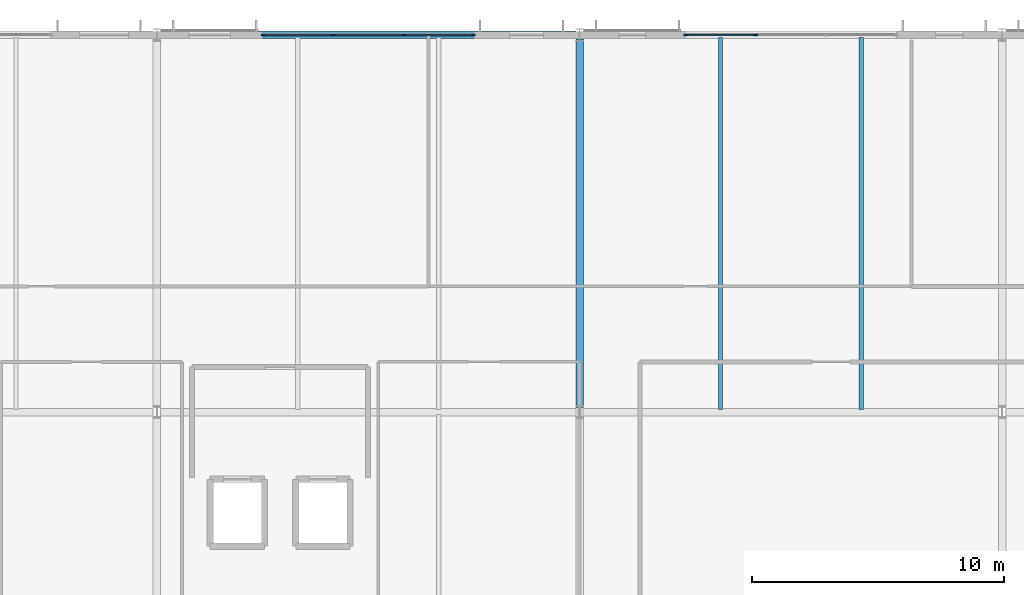
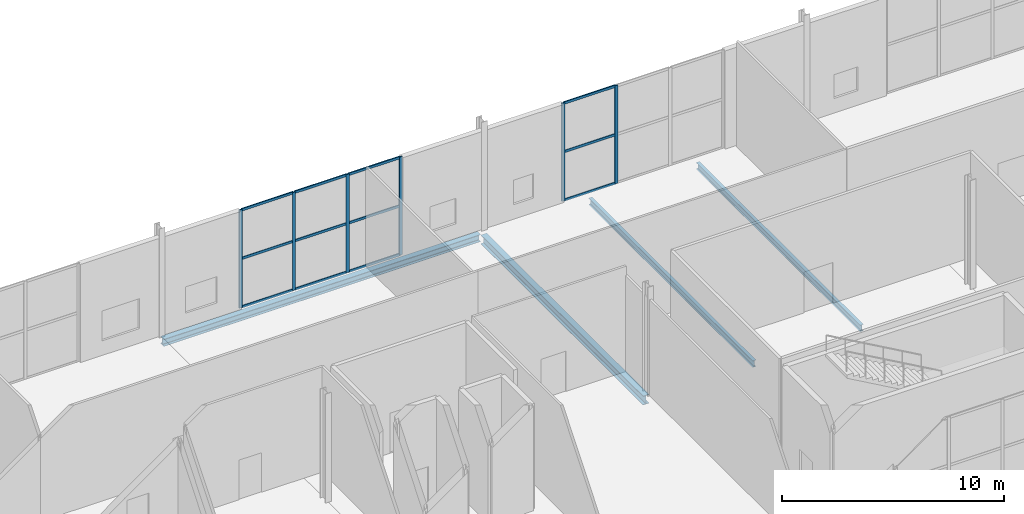
# One storey, part 41 of 100: 18 members, 4 beams, 2 elements without a shape of their own.
"""IFC4 building model written with IfcOpenShell, lengths in metres."""

import ifcopenshell
import ifcopenshell.guid

model = None  # the IFC model being written
_history = None  # IfcOwnerHistory: only IFC2X3 demands one
_inside = {}  # id of a spatial element -> (the spatial element, [elements in it])
_under = {}  # id of a project, library or spatial element -> (it, [spatial elements below it])
_declared = {}  # id of a project -> (the project, [libraries it declares])
_typed = {}  # id of a type object -> (the type object, [elements of that type])
_made_of = {}  # id of a material, layer set ... -> (it, [elements and type objects made of it])


def new_model(schema):
    """Start an empty IFC model of exactly this schema.

    Asked for "IFC4X3", IfcOpenShell would pick the latest addendum, in which some entities
    have other attributes; the version numbers below select the first issue.
    IFC2X3 requires an IfcOwnerHistory on every rooted entity: one is made here for all.
    """
    global model, _history
    if schema == "IFC4X3":
        model = ifcopenshell.file(schema_version=(4, 3, 0, 0))
    else:
        model = ifcopenshell.file(schema=schema)
    _inside.clear()
    _under.clear()
    _declared.clear()
    _typed.clear()
    _made_of.clear()
    _history = None
    if model.schema == "IFC2X3":
        org = make("IfcOrganization", Name="unknown")
        user = make(
            "IfcPersonAndOrganization",
            ThePerson=make("IfcPerson", FamilyName="unknown"),
            TheOrganization=org,
        )
        app = make(
            "IfcApplication",
            ApplicationDeveloper=org,
            Version="unknown",
            ApplicationFullName="unknown",
            ApplicationIdentifier="unknown",
        )
        _history = make(
            "IfcOwnerHistory",
            OwningUser=user,
            OwningApplication=app,
            ChangeAction="ADDED",
            CreationDate=0,
        )
    return model


def make(cls, **values):
    """One entity of the class cls with the attributes given. An attribute that is None is left unset."""
    return model.create_entity(
        cls, **{name: value for name, value in values.items() if value is not None}
    )


def rooted(cls, **values):
    """An entity with a GlobalId (a new one), such as an element, a storey or a relation."""
    return make(cls, GlobalId=ifcopenshell.guid.new(), OwnerHistory=_history, **values)


def si_unit(unit_type, name, prefix=None):
    """IfcSIUnit, for example si_unit("LENGTHUNIT", "METRE", prefix="MILLI")."""
    return make("IfcSIUnit", UnitType=unit_type, Prefix=prefix, Name=name)


def assignment(units):
    """IfcUnitAssignment: the units of a project."""
    return None if units is None else make("IfcUnitAssignment", Units=units)


def point(xyz):
    """IfcCartesianPoint."""
    return None if xyz is None else make("IfcCartesianPoint", Coordinates=xyz)


def direction(xyz):
    """IfcDirection."""
    return None if xyz is None else make("IfcDirection", DirectionRatios=xyz)


def frame(location, z_axis=None, x_axis=None):
    """IfcAxis2Placement3D, a coordinate frame: its origin and axes. An axis left out is left unset."""
    return make(
        "IfcAxis2Placement3D",
        Location=point(location),
        Axis=direction(z_axis),
        RefDirection=direction(x_axis),
    )


def frame_2d(location, x_axis=None):
    """IfcAxis2Placement2D, a coordinate frame in the plane: its origin and x axis."""
    return make(
        "IfcAxis2Placement2D", Location=point(location), RefDirection=direction(x_axis)
    )


def origin():
    """The frame at (0, 0, 0) with its axes left unset."""
    return frame((0.0, 0.0, 0.0))


def origin_2d():
    """The frame at (0, 0) in the plane with its x axis left unset."""
    return frame_2d((0.0, 0.0))


def place(relative_to, where):
    """IfcLocalPlacement: puts the frame where relative to a parent placement (None: the world)."""
    return make(
        "IfcLocalPlacement", PlacementRelTo=relative_to, RelativePlacement=where
    )


def context(
    kind, dimensions, precision=None, world=None, true_north=None, identifier=None
):
    """IfcGeometricRepresentationContext, for example the 3D "Model" context."""
    return make(
        "IfcGeometricRepresentationContext",
        ContextIdentifier=identifier,
        ContextType=kind,
        CoordinateSpaceDimension=dimensions,
        Precision=precision,
        WorldCoordinateSystem=world,
        TrueNorth=true_north,
    )


def subcontext(parent, identifier, kind, view, scale=None):
    """IfcGeometricRepresentationSubContext, for example "Body" below "Model"."""
    return make(
        "IfcGeometricRepresentationSubContext",
        ContextIdentifier=identifier,
        ContextType=kind,
        ParentContext=parent,
        TargetScale=scale,
        TargetView=view,
    )


def project(units=None, contexts=None):
    """IfcProject with its units and contexts."""
    return rooted(
        "IfcProject",
        Name="project",
        RepresentationContexts=contexts,
        UnitsInContext=assignment(units),
    )


def spatial(cls, under=None, at=None, **own):
    """A site, building, storey or space (cls), placed at a placement, below another one or the project."""
    s = rooted(cls, ObjectPlacement=at, **own)
    if under is not None:
        _under.setdefault(under.id(), (under, []))[1].append(s)
    return s


def profile(cls, at=None, kind="AREA", **sizes):
    """A parametric profile (cls). Its sizes go by their IFC names, for example OverallWidth=200.0."""
    return make(cls, ProfileType=kind, Position=at, **sizes)


def rectangle(**sizes):
    """IfcRectangleProfileDef."""
    return profile("IfcRectangleProfileDef", **sizes)


def i_section(**sizes):
    """IfcIShapeProfileDef."""
    return profile("IfcIShapeProfileDef", **sizes)


def extrude(swept, where, along, depth):
    """IfcExtrudedAreaSolid: the profile swept, set in the frame where, extruded along a direction by depth."""
    return make(
        "IfcExtrudedAreaSolid",
        SweptArea=swept,
        Position=where,
        ExtrudedDirection=direction(along),
        Depth=depth,
    )


def shape(context_of_items, identifier, shape_type, items):
    """IfcShapeRepresentation: the items that make up one representation, for example the "Body"."""
    return make(
        "IfcShapeRepresentation",
        ContextOfItems=context_of_items,
        RepresentationIdentifier=identifier,
        RepresentationType=shape_type,
        Items=items,
    )


def material(Name=None, Category=None):
    """IfcMaterial."""
    return make("IfcMaterial", Name=Name, Category=Category)


def material_profile(
    of_material, cross_section, Name=None, Category=None, Priority=None
):
    """IfcMaterialProfile: a cross section and its material."""
    return make(
        "IfcMaterialProfile",
        Name=Name,
        Material=of_material,
        Profile=cross_section,
        Priority=Priority,
        Category=Category,
    )


def profile_set(profiles, Name=None, composite=None):
    """IfcMaterialProfileSet."""
    return make(
        "IfcMaterialProfileSet",
        Name=Name,
        MaterialProfiles=profiles,
        CompositeProfile=composite,
    )


def made_of(thing, what):
    """Note that an element or type object is made of a material, layer set ...; save() writes the relation."""
    if what is not None:
        _made_of.setdefault(what.id(), (what, []))[1].append(thing)
    return thing


def type_object(cls, material=None, **own):
    """A type object (cls), such as IfcWallType, which elements share."""
    return made_of(rooted(cls, **own), material)


def element(
    cls,
    number,
    at=None,
    inside=None,
    cuts=None,
    type_object=None,
    material=None,
    context=None,
    identifier="Body",
    shape_type=None,
    held_by="IfcProductDefinitionShape",
    body=None,
    shapes=None,
    **own,
):
    """One element of the class cls, such as IfcWall. Its Tag is "e" and its number.

    at: its placement. inside: the storey or other place that contains it. cuts: it is an
    opening in that element (IfcRelVoidsElement). A single representation is given by context,
    identifier, shape_type and body (its items); several are given by shapes. held_by: the class
    of the entity that holds the representations. save() writes the other relations.
    """
    e = rooted(cls, Tag="e%d" % number, ObjectPlacement=at, **own)
    if body is not None:
        shapes = [shape(context, identifier, shape_type, body)]
    if shapes is not None:
        e.Representation = make(held_by, Representations=shapes)
    if inside is not None:
        _inside.setdefault(inside.id(), (inside, []))[1].append(e)
    if cuts is not None:
        rooted(
            "IfcRelVoidsElement", RelatingBuildingElement=cuts, RelatedOpeningElement=e
        )
    if type_object is not None:
        _typed.setdefault(type_object.id(), (type_object, []))[1].append(e)
    return made_of(e, material)


def aggregate(whole, parts):
    """IfcRelAggregates: a whole, such as a stair, and the parts it consists of."""
    return rooted("IfcRelAggregates", RelatingObject=whole, RelatedObjects=parts)


def save(model, path):
    """Write the relations noted so far, then the file.

    IfcRelAggregates (storeys below a building ...), IfcRelContainedInSpatialStructure (elements
    in a storey), IfcRelDefinesByType, IfcRelAssociatesMaterial and IfcRelDeclares: one each for
    every whole, place, type object, material and project.
    """
    for whole, parts in _under.values():
        aggregate(whole, parts)
    for where, things in _inside.values():
        rooted(
            "IfcRelContainedInSpatialStructure",
            RelatedElements=things,
            RelatingStructure=where,
        )
    for kind, things in _typed.values():
        rooted("IfcRelDefinesByType", RelatedObjects=things, RelatingType=kind)
    for what, things in _made_of.values():
        rooted("IfcRelAssociatesMaterial", RelatedObjects=things, RelatingMaterial=what)
    for by, libraries in _declared.values():
        rooted("IfcRelDeclares", RelatingContext=by, RelatedDefinitions=libraries)
    model.write(path)


model = new_model("IFC4")

# Units and contexts
model_context = context("Model", 3, precision=1e-05, world=origin(), true_north=direction((0.0, 1.0)))
body_context = subcontext(model_context, "Body", "Model", "MODEL_VIEW")
ifc_project = project(units=[si_unit("LENGTHUNIT", "METRE"), si_unit("AREAUNIT", "SQUARE_METRE"), si_unit("VOLUMEUNIT", "CUBIC_METRE"), si_unit("PLANEANGLEUNIT", "RADIAN"), si_unit("MASSUNIT", "GRAM", prefix="KILO")], contexts=[model_context])

# Site, building, storey
site_placement = place(None, origin())
site = spatial("IfcSite", under=ifc_project, at=site_placement, CompositionType="ELEMENT")
building_placement = place(site_placement, origin())
building = spatial("IfcBuilding", under=site, at=building_placement, Name="Kimbaza Rail Terminus", CompositionType="ELEMENT")
storey_placement = place(building_placement, frame((0.0, 0.0, 10.800048828125)))
storey = spatial("IfcBuildingStorey", under=building, at=storey_placement, Name="L02", CompositionType="ELEMENT", Elevation=10.800048828125)

# Curtain wall, members
ifc_material_1 = material(Name="Anodised aluminium framing and solar low-E glazing", Category="aluminium")
curtain_wall_type = type_object("IfcCurtainWallType", Name="ARC-CW-OP1", PredefinedType="USERDEFINED", material=ifc_material_1)
curtain_wall_1_placement = place(storey_placement, origin())
curtain_wall_1 = element("IfcCurtainWall", 1, at=curtain_wall_1_placement, inside=storey, type_object=curtain_wall_type, Name="Operations North Curtain Wall L02 Bay 3", ObjectType="UNITISED CURTAIN WALL", PredefinedType="USERDEFINED")
ifc_material_2 = material(Name="Anodised architectural aluminium", Category="aluminium")
ifc_material_profile_1 = material_profile(ifc_material_2, rectangle(XDim=0.06201171875, YDim=0.1650390625, at=origin_2d()), Name="MULLION 62x165")
ifc_profile_set_1 = profile_set([ifc_material_profile_1], Name="Anodised architectural aluminium")
member_type_1 = type_object("IfcMemberType", Name="ARC-CWM-05", PredefinedType="MULLION", material=ifc_profile_set_1)
member_1_placement = place(storey_placement, frame((93.031005859375, 133.0, 0.0), z_axis=(0.0, 0.0, 1.0), x_axis=(0.0, 1.0, 0.0)))
member_1 = element("IfcMember", 2, at=member_1_placement, type_object=member_type_1, Name="CW-05 mullion 1", PredefinedType="MULLION", context=body_context, shape_type="SweptSolid", body=[
    extrude(rectangle(XDim=0.06201171875, YDim=0.1650390625, at=origin_2d()), origin(), (0.0, 0.0, 1.0), 5.405029296875),
])
member_2_placement = place(storey_placement, frame((95.800048828125, 133.0, 0.0), z_axis=(0.0, 0.0, 1.0), x_axis=(0.0, 1.0, 0.0)))
member_2 = element("IfcMember", 3, at=member_2_placement, type_object=member_type_1, Name="CW-05 mullion 2", PredefinedType="MULLION", context=body_context, shape_type="SweptSolid", body=[
    extrude(rectangle(XDim=0.06201171875, YDim=0.1650390625, at=origin_2d()), origin(), (0.0, 0.0, 1.0), 5.405029296875),
])
member_3_placement = place(storey_placement, frame((98.60009765625, 133.0, 0.0), z_axis=(0.0, 0.0, 1.0), x_axis=(0.0, 1.0, 0.0)))
member_3 = element("IfcMember", 4, at=member_3_placement, type_object=member_type_1, Name="CW-05 mullion 3", PredefinedType="MULLION", context=body_context, shape_type="SweptSolid", body=[
    extrude(rectangle(XDim=0.06201171875, YDim=0.1650390625, at=origin_2d()), origin(), (0.0, 0.0, 1.0), 5.405029296875),
])
member_4_placement = place(storey_placement, frame((101.368896484375, 133.0, 0.0), z_axis=(0.0, 0.0, 1.0), x_axis=(0.0, 1.0, 0.0)))
member_4 = element("IfcMember", 5, at=member_4_placement, type_object=member_type_1, Name="CW-05 mullion 4", PredefinedType="MULLION", context=body_context, shape_type="SweptSolid", body=[
    extrude(rectangle(XDim=0.06201171875, YDim=0.1650390625, at=origin_2d()), origin(), (0.0, 0.0, 1.0), 5.405029296875),
])

curtain_wall_2_placement = place(storey_placement, origin())
curtain_wall_2 = element("IfcCurtainWall", 6, at=curtain_wall_2_placement, inside=storey, type_object=curtain_wall_type, Name="Operations North Curtain Wall L02 Bay 4", ObjectType="UNITISED CURTAIN WALL", PredefinedType="USERDEFINED")
member_5_placement = place(storey_placement, frame((109.8310546875, 133.0, 0.0), z_axis=(0.0, 0.0, 1.0), x_axis=(0.0, 1.0, 0.0)))
member_5 = element("IfcMember", 7, at=member_5_placement, type_object=member_type_1, Name="CW-05 mullion 1", PredefinedType="MULLION", context=body_context, shape_type="SweptSolid", body=[
    extrude(rectangle(XDim=0.06201171875, YDim=0.1650390625, at=origin_2d()), origin(), (0.0, 0.0, 1.0), 5.405029296875),
])
member_6_placement = place(storey_placement, frame((112.60009765625, 133.0, 0.0), z_axis=(0.0, 0.0, 1.0), x_axis=(0.0, 1.0, 0.0)))
member_6 = element("IfcMember", 8, at=member_6_placement, type_object=member_type_1, Name="CW-05 mullion 2", PredefinedType="MULLION", context=body_context, shape_type="SweptSolid", body=[
    extrude(rectangle(XDim=0.06201171875, YDim=0.1650390625, at=origin_2d()), origin(), (0.0, 0.0, 1.0), 5.405029296875),
])

# Member
ifc_material_3 = material(Name="Anodised architectural aluminium", Category="aluminium")
ifc_material_profile_2 = material_profile(ifc_material_3, rectangle(XDim=0.06201171875, YDim=0.135009765625, at=origin_2d()), Name="TRANSOM 62x135")
ifc_profile_set_2 = profile_set([ifc_material_profile_2], Name="Anodised architectural aluminium")
member_type_2 = type_object("IfcMemberType", Name="ARC-CWT-05", PredefinedType="USERDEFINED", material=ifc_profile_set_2)
member_7_placement = place(storey_placement, frame((93.06201171875, 133.0, 0.031005859375), z_axis=(1.0, 0.0, 0.0), x_axis=(0.0, 1.0, 0.0)))
member_7 = element("IfcMember", 9, at=member_7_placement, type_object=member_type_2, Name="CW-05 transom 1.1", ObjectType="TRANSOM", PredefinedType="USERDEFINED", context=body_context, shape_type="SweptSolid", body=[
    extrude(rectangle(XDim=0.06201171875, YDim=0.135009765625, at=origin_2d()), origin(), (0.0, 0.0, 1.0), 2.70703125),
])

member_8_placement = place(storey_placement, frame((93.06201171875, 133.0, 2.702392578125), z_axis=(1.0, 0.0, 0.0), x_axis=(0.0, 1.0, 0.0)))
member_8 = element("IfcMember", 10, at=member_8_placement, type_object=member_type_2, Name="CW-05 transom 1.2", ObjectType="TRANSOM", PredefinedType="USERDEFINED", context=body_context, shape_type="SweptSolid", body=[
    extrude(rectangle(XDim=0.06201171875, YDim=0.135009765625, at=origin_2d()), origin(), (0.0, 0.0, 1.0), 2.70703125),
])

member_9_placement = place(storey_placement, frame((93.06201171875, 133.0, 5.3740234375), z_axis=(1.0, 0.0, 0.0), x_axis=(0.0, 1.0, 0.0)))
member_9 = element("IfcMember", 11, at=member_9_placement, type_object=member_type_2, Name="CW-05 transom 1.3", ObjectType="TRANSOM", PredefinedType="USERDEFINED", context=body_context, shape_type="SweptSolid", body=[
    extrude(rectangle(XDim=0.06201171875, YDim=0.135009765625, at=origin_2d()), origin(), (0.0, 0.0, 1.0), 2.70703125),
])

member_10_placement = place(storey_placement, frame((95.8310546875, 133.0, 0.031005859375), z_axis=(1.0, 0.0, 0.0), x_axis=(0.0, 1.0, 0.0)))
member_10 = element("IfcMember", 12, at=member_10_placement, type_object=member_type_2, Name="CW-05 transom 2.1", ObjectType="TRANSOM", PredefinedType="USERDEFINED", context=body_context, shape_type="SweptSolid", body=[
    extrude(rectangle(XDim=0.06201171875, YDim=0.135009765625, at=origin_2d()), origin(), (0.0, 0.0, 1.0), 2.738037109375),
])

member_11_placement = place(storey_placement, frame((95.8310546875, 133.0, 2.702392578125), z_axis=(1.0, 0.0, 0.0), x_axis=(0.0, 1.0, 0.0)))
member_11 = element("IfcMember", 13, at=member_11_placement, type_object=member_type_2, Name="CW-05 transom 2.2", ObjectType="TRANSOM", PredefinedType="USERDEFINED", context=body_context, shape_type="SweptSolid", body=[
    extrude(rectangle(XDim=0.06201171875, YDim=0.135009765625, at=origin_2d()), origin(), (0.0, 0.0, 1.0), 2.738037109375),
])

member_12_placement = place(storey_placement, frame((95.8310546875, 133.0, 5.3740234375), z_axis=(1.0, 0.0, 0.0), x_axis=(0.0, 1.0, 0.0)))
member_12 = element("IfcMember", 14, at=member_12_placement, type_object=member_type_2, Name="CW-05 transom 2.3", ObjectType="TRANSOM", PredefinedType="USERDEFINED", context=body_context, shape_type="SweptSolid", body=[
    extrude(rectangle(XDim=0.06201171875, YDim=0.135009765625, at=origin_2d()), origin(), (0.0, 0.0, 1.0), 2.738037109375),
])

member_13_placement = place(storey_placement, frame((98.631103515625, 133.0, 0.031005859375), z_axis=(1.0, 0.0, 0.0), x_axis=(0.0, 1.0, 0.0)))
member_13 = element("IfcMember", 15, at=member_13_placement, type_object=member_type_2, Name="CW-05 transom 3.1", ObjectType="TRANSOM", PredefinedType="USERDEFINED", context=body_context, shape_type="SweptSolid", body=[
    extrude(rectangle(XDim=0.06201171875, YDim=0.135009765625, at=origin_2d()), origin(), (0.0, 0.0, 1.0), 2.706787109375),
])

member_14_placement = place(storey_placement, frame((98.631103515625, 133.0, 2.702392578125), z_axis=(1.0, 0.0, 0.0), x_axis=(0.0, 1.0, 0.0)))
member_14 = element("IfcMember", 16, at=member_14_placement, type_object=member_type_2, Name="CW-05 transom 3.2", ObjectType="TRANSOM", PredefinedType="USERDEFINED", context=body_context, shape_type="SweptSolid", body=[
    extrude(rectangle(XDim=0.06201171875, YDim=0.135009765625, at=origin_2d()), origin(), (0.0, 0.0, 1.0), 2.706787109375),
])

member_15_placement = place(storey_placement, frame((98.631103515625, 133.0, 5.3740234375), z_axis=(1.0, 0.0, 0.0), x_axis=(0.0, 1.0, 0.0)))
member_15 = element("IfcMember", 17, at=member_15_placement, type_object=member_type_2, Name="CW-05 transom 3.3", ObjectType="TRANSOM", PredefinedType="USERDEFINED", context=body_context, shape_type="SweptSolid", body=[
    extrude(rectangle(XDim=0.06201171875, YDim=0.135009765625, at=origin_2d()), origin(), (0.0, 0.0, 1.0), 2.706787109375),
])

aggregate(curtain_wall_1, [member_1, member_2, member_3, member_4, member_7, member_8, member_9, member_10, member_11, member_12, member_13, member_14, member_15])

member_16_placement = place(storey_placement, frame((109.862060546875, 133.0, 0.031005859375), z_axis=(1.0, 0.0, 0.0), x_axis=(0.0, 1.0, 0.0)))
member_16 = element("IfcMember", 18, at=member_16_placement, type_object=member_type_2, Name="CW-05 transom 1.1", ObjectType="TRANSOM", PredefinedType="USERDEFINED", context=body_context, shape_type="SweptSolid", body=[
    extrude(rectangle(XDim=0.06201171875, YDim=0.135009765625, at=origin_2d()), origin(), (0.0, 0.0, 1.0), 2.70703125),
])

member_17_placement = place(storey_placement, frame((109.862060546875, 133.0, 2.702392578125), z_axis=(1.0, 0.0, 0.0), x_axis=(0.0, 1.0, 0.0)))
member_17 = element("IfcMember", 19, at=member_17_placement, type_object=member_type_2, Name="CW-05 transom 1.2", ObjectType="TRANSOM", PredefinedType="USERDEFINED", context=body_context, shape_type="SweptSolid", body=[
    extrude(rectangle(XDim=0.06201171875, YDim=0.135009765625, at=origin_2d()), origin(), (0.0, 0.0, 1.0), 2.70703125),
])

member_18_placement = place(storey_placement, frame((109.862060546875, 133.0, 5.3740234375), z_axis=(1.0, 0.0, 0.0), x_axis=(0.0, 1.0, 0.0)))
member_18 = element("IfcMember", 20, at=member_18_placement, type_object=member_type_2, Name="CW-05 transom 1.3", ObjectType="TRANSOM", PredefinedType="USERDEFINED", context=body_context, shape_type="SweptSolid", body=[
    extrude(rectangle(XDim=0.06201171875, YDim=0.135009765625, at=origin_2d()), origin(), (0.0, 0.0, 1.0), 2.70703125),
])

aggregate(curtain_wall_2, [member_5, member_6, member_16, member_17, member_18])

# Beams
ifc_material_4 = material(Name="Steel S355", Category="steel")
ifc_material_profile_3 = material_profile(ifc_material_4, i_section(OverallWidth=0.300048828125, OverallDepth=0.389892578125, WebThickness=0.010986328125, FlangeThickness=0.01904296875, FilletRadius=0.027099609375, at=origin_2d()), Name="HEA 400")
ifc_profile_set_3 = profile_set([ifc_material_profile_3], Name="Steel S355")
beam_type_1 = type_object("IfcBeamType", Name="STR-BM-HEA400", PredefinedType="SPANDREL", material=ifc_profile_set_3)
beam_1_placement = place(storey_placement, frame((88.946044921875, 133.0, -0.43505859375), z_axis=(1.0, 0.0, 0.0), x_axis=(0.0, 1.0, 0.0)))
element("IfcBeam", 21, at=beam_1_placement, inside=storey, type_object=beam_type_1, Name="Operations Girder L02 X2-Y2", PredefinedType="SPANDREL", context=body_context, shape_type="SweptSolid", body=[
    extrude(i_section(OverallWidth=0.300048828125, OverallDepth=0.389892578125, WebThickness=0.010986328125, FlangeThickness=0.01904296875, FilletRadius=0.027099609375, at=origin_2d()), origin(), (0.0, 0.0, 1.0), 16.508056640625),
])
ifc_material_5 = material(Name="Steel S355", Category="steel")
ifc_material_profile_4 = material_profile(ifc_material_5, i_section(OverallWidth=0.300048828125, OverallDepth=0.5, WebThickness=0.014404296875, FlangeThickness=0.028076171875, FilletRadius=0.027099609375, at=origin_2d()), Name="HEB 500")
ifc_profile_set_4 = profile_set([ifc_material_profile_4], Name="Steel S355")
beam_type_2 = type_object("IfcBeamType", Name="STR-BM-HEB500", PredefinedType="BEAM", material=ifc_profile_set_4)
beam_2_placement = place(storey_placement, frame((105.60009765625, 118.175048828125, -0.489990234375), z_axis=(0.0, 1.0, 0.0), x_axis=(-1.0, 0.0, 0.0)))
element("IfcBeam", 22, at=beam_2_placement, inside=storey, type_object=beam_type_2, Name="Operations Cross Girder L02 X3-Y1", PredefinedType="BEAM", context=body_context, shape_type="SweptSolid", body=[
    extrude(i_section(OverallWidth=0.300048828125, OverallDepth=0.5, WebThickness=0.014404296875, FlangeThickness=0.028076171875, FilletRadius=0.027099609375, at=origin_2d()), origin(), (0.0, 0.0, 1.0), 14.64990234375),
])
ifc_material_6 = material(Name="Steel S355", Category="steel")
ifc_material_profile_5 = material_profile(ifc_material_6, i_section(OverallWidth=0.169921875, OverallDepth=0.360107421875, WebThickness=0.008056640625, FlangeThickness=0.0126953125, FilletRadius=0.01806640625, at=origin_2d()), Name="IPE 360")
ifc_profile_set_5 = profile_set([ifc_material_profile_5], Name="Steel S355")
beam_type_3 = type_object("IfcBeamType", Name="STR-BM-IPE360", PredefinedType="JOIST", material=ifc_profile_set_5)
for number, where, z_axis, x_axis, name in (
    (23, (111.199951171875, 118.10009765625, -0.420166015625), (0.0, 1.0, 0.0), (-1.0, 0.0, 0.0), "Operations Secondary Joist L02"),
    (24, (116.800048828125, 118.10009765625, -0.420166015625), (0.0, 1.0, 0.0), (-1.0, 0.0, 0.0), "Operations Secondary Joist L02"),
):
    element("IfcBeam", number, at=place(storey_placement, frame(where, z_axis=z_axis, x_axis=x_axis)), inside=storey, type_object=beam_type_3, Name=name, PredefinedType="JOIST", context=body_context, shape_type="SweptSolid", body=[
        extrude(i_section(OverallWidth=0.169921875, OverallDepth=0.360107421875, WebThickness=0.008056640625, FlangeThickness=0.0126953125, FilletRadius=0.01806640625, at=origin_2d()), origin(), (0.0, 0.0, 1.0), 14.7998046875),
    ])

save(model, "model.ifc")
